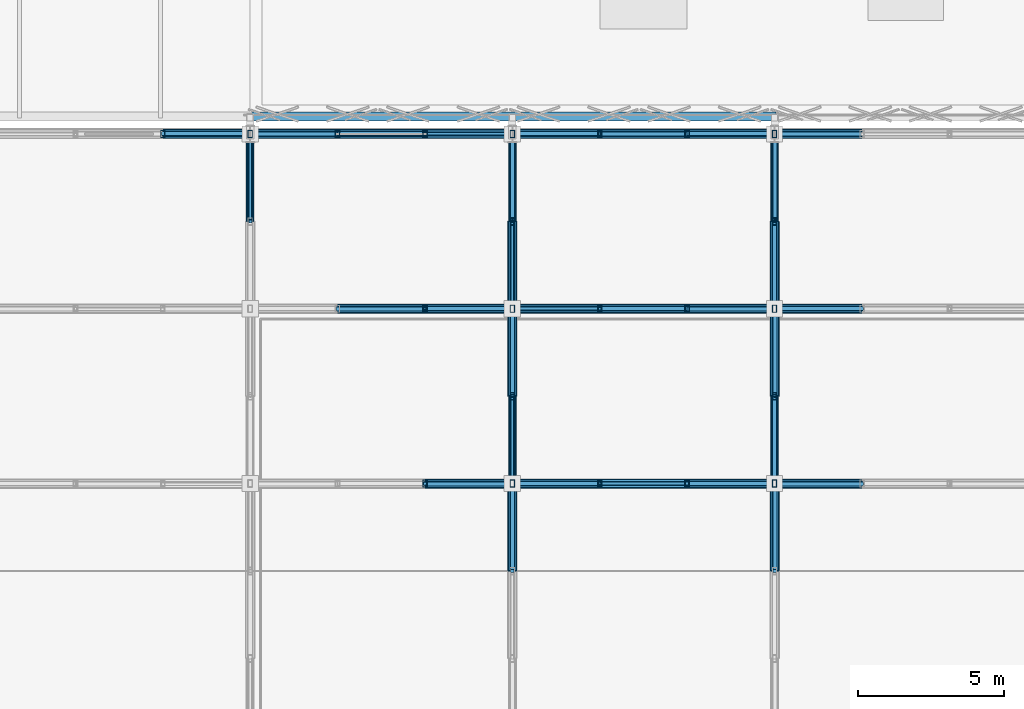
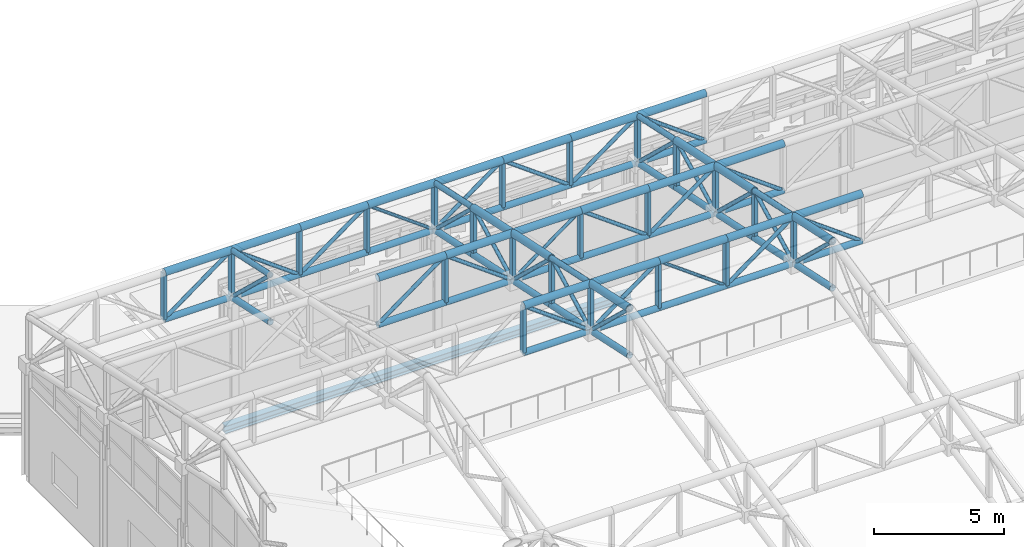
# One storey, part 18 of 112: 113 members.
"""IFC4 building model written with IfcOpenShell, lengths in metres."""

import ifcopenshell
import ifcopenshell.guid

model = None  # the IFC model being written
_history = None  # IfcOwnerHistory: only IFC2X3 demands one
_inside = {}  # id of a spatial element -> (the spatial element, [elements in it])
_under = {}  # id of a project, library or spatial element -> (it, [spatial elements below it])
_declared = {}  # id of a project -> (the project, [libraries it declares])
_typed = {}  # id of a type object -> (the type object, [elements of that type])
_made_of = {}  # id of a material, layer set ... -> (it, [elements and type objects made of it])


def new_model(schema):
    """Start an empty IFC model of exactly this schema.

    Asked for "IFC4X3", IfcOpenShell would pick the latest addendum, in which some entities
    have other attributes; the version numbers below select the first issue.
    IFC2X3 requires an IfcOwnerHistory on every rooted entity: one is made here for all.
    """
    global model, _history
    if schema == "IFC4X3":
        model = ifcopenshell.file(schema_version=(4, 3, 0, 0))
    else:
        model = ifcopenshell.file(schema=schema)
    _inside.clear()
    _under.clear()
    _declared.clear()
    _typed.clear()
    _made_of.clear()
    _history = None
    if model.schema == "IFC2X3":
        org = make("IfcOrganization", Name="unknown")
        user = make(
            "IfcPersonAndOrganization",
            ThePerson=make("IfcPerson", FamilyName="unknown"),
            TheOrganization=org,
        )
        app = make(
            "IfcApplication",
            ApplicationDeveloper=org,
            Version="unknown",
            ApplicationFullName="unknown",
            ApplicationIdentifier="unknown",
        )
        _history = make(
            "IfcOwnerHistory",
            OwningUser=user,
            OwningApplication=app,
            ChangeAction="ADDED",
            CreationDate=0,
        )
    return model


def make(cls, **values):
    """One entity of the class cls with the attributes given. An attribute that is None is left unset."""
    return model.create_entity(
        cls, **{name: value for name, value in values.items() if value is not None}
    )


def rooted(cls, **values):
    """An entity with a GlobalId (a new one), such as an element, a storey or a relation."""
    return make(cls, GlobalId=ifcopenshell.guid.new(), OwnerHistory=_history, **values)


def si_unit(unit_type, name, prefix=None):
    """IfcSIUnit, for example si_unit("LENGTHUNIT", "METRE", prefix="MILLI")."""
    return make("IfcSIUnit", UnitType=unit_type, Prefix=prefix, Name=name)


def assignment(units):
    """IfcUnitAssignment: the units of a project."""
    return None if units is None else make("IfcUnitAssignment", Units=units)


def point(xyz):
    """IfcCartesianPoint."""
    return None if xyz is None else make("IfcCartesianPoint", Coordinates=xyz)


def direction(xyz):
    """IfcDirection."""
    return None if xyz is None else make("IfcDirection", DirectionRatios=xyz)


def frame(location, z_axis=None, x_axis=None):
    """IfcAxis2Placement3D, a coordinate frame: its origin and axes. An axis left out is left unset."""
    return make(
        "IfcAxis2Placement3D",
        Location=point(location),
        Axis=direction(z_axis),
        RefDirection=direction(x_axis),
    )


def frame_2d(location, x_axis=None):
    """IfcAxis2Placement2D, a coordinate frame in the plane: its origin and x axis."""
    return make(
        "IfcAxis2Placement2D", Location=point(location), RefDirection=direction(x_axis)
    )


def origin():
    """The frame at (0, 0, 0) with its axes left unset."""
    return frame((0.0, 0.0, 0.0))


def origin_2d():
    """The frame at (0, 0) in the plane with its x axis left unset."""
    return frame_2d((0.0, 0.0))


def place(relative_to, where):
    """IfcLocalPlacement: puts the frame where relative to a parent placement (None: the world)."""
    return make(
        "IfcLocalPlacement", PlacementRelTo=relative_to, RelativePlacement=where
    )


def context(
    kind, dimensions, precision=None, world=None, true_north=None, identifier=None
):
    """IfcGeometricRepresentationContext, for example the 3D "Model" context."""
    return make(
        "IfcGeometricRepresentationContext",
        ContextIdentifier=identifier,
        ContextType=kind,
        CoordinateSpaceDimension=dimensions,
        Precision=precision,
        WorldCoordinateSystem=world,
        TrueNorth=true_north,
    )


def subcontext(parent, identifier, kind, view, scale=None):
    """IfcGeometricRepresentationSubContext, for example "Body" below "Model"."""
    return make(
        "IfcGeometricRepresentationSubContext",
        ContextIdentifier=identifier,
        ContextType=kind,
        ParentContext=parent,
        TargetScale=scale,
        TargetView=view,
    )


def project(units=None, contexts=None):
    """IfcProject with its units and contexts."""
    return rooted(
        "IfcProject",
        Name="project",
        RepresentationContexts=contexts,
        UnitsInContext=assignment(units),
    )


def spatial(cls, under=None, at=None, **own):
    """A site, building, storey or space (cls), placed at a placement, below another one or the project."""
    s = rooted(cls, ObjectPlacement=at, **own)
    if under is not None:
        _under.setdefault(under.id(), (under, []))[1].append(s)
    return s


def profile(cls, at=None, kind="AREA", **sizes):
    """A parametric profile (cls). Its sizes go by their IFC names, for example OverallWidth=200.0."""
    return make(cls, ProfileType=kind, Position=at, **sizes)


def hollow_rectangle(**sizes):
    """IfcRectangleHollowProfileDef."""
    return profile("IfcRectangleHollowProfileDef", **sizes)


def hollow_circle(**sizes):
    """IfcCircleHollowProfileDef."""
    return profile("IfcCircleHollowProfileDef", **sizes)


def i_section(**sizes):
    """IfcIShapeProfileDef."""
    return profile("IfcIShapeProfileDef", **sizes)


def extrude(swept, where, along, depth):
    """IfcExtrudedAreaSolid: the profile swept, set in the frame where, extruded along a direction by depth."""
    return make(
        "IfcExtrudedAreaSolid",
        SweptArea=swept,
        Position=where,
        ExtrudedDirection=direction(along),
        Depth=depth,
    )


def shape(context_of_items, identifier, shape_type, items):
    """IfcShapeRepresentation: the items that make up one representation, for example the "Body"."""
    return make(
        "IfcShapeRepresentation",
        ContextOfItems=context_of_items,
        RepresentationIdentifier=identifier,
        RepresentationType=shape_type,
        Items=items,
    )


def material(Name=None, Category=None):
    """IfcMaterial."""
    return make("IfcMaterial", Name=Name, Category=Category)


def material_profile(
    of_material, cross_section, Name=None, Category=None, Priority=None
):
    """IfcMaterialProfile: a cross section and its material."""
    return make(
        "IfcMaterialProfile",
        Name=Name,
        Material=of_material,
        Profile=cross_section,
        Priority=Priority,
        Category=Category,
    )


def profile_set(profiles, Name=None, composite=None):
    """IfcMaterialProfileSet."""
    return make(
        "IfcMaterialProfileSet",
        Name=Name,
        MaterialProfiles=profiles,
        CompositeProfile=composite,
    )


def made_of(thing, what):
    """Note that an element or type object is made of a material, layer set ...; save() writes the relation."""
    if what is not None:
        _made_of.setdefault(what.id(), (what, []))[1].append(thing)
    return thing


def type_object(cls, material=None, **own):
    """A type object (cls), such as IfcWallType, which elements share."""
    return made_of(rooted(cls, **own), material)


def element(
    cls,
    number,
    at=None,
    inside=None,
    cuts=None,
    type_object=None,
    material=None,
    context=None,
    identifier="Body",
    shape_type=None,
    held_by="IfcProductDefinitionShape",
    body=None,
    shapes=None,
    **own,
):
    """One element of the class cls, such as IfcWall. Its Tag is "e" and its number.

    at: its placement. inside: the storey or other place that contains it. cuts: it is an
    opening in that element (IfcRelVoidsElement). A single representation is given by context,
    identifier, shape_type and body (its items); several are given by shapes. held_by: the class
    of the entity that holds the representations. save() writes the other relations.
    """
    e = rooted(cls, Tag="e%d" % number, ObjectPlacement=at, **own)
    if body is not None:
        shapes = [shape(context, identifier, shape_type, body)]
    if shapes is not None:
        e.Representation = make(held_by, Representations=shapes)
    if inside is not None:
        _inside.setdefault(inside.id(), (inside, []))[1].append(e)
    if cuts is not None:
        rooted(
            "IfcRelVoidsElement", RelatingBuildingElement=cuts, RelatedOpeningElement=e
        )
    if type_object is not None:
        _typed.setdefault(type_object.id(), (type_object, []))[1].append(e)
    return made_of(e, material)


def aggregate(whole, parts):
    """IfcRelAggregates: a whole, such as a stair, and the parts it consists of."""
    return rooted("IfcRelAggregates", RelatingObject=whole, RelatedObjects=parts)


def save(model, path):
    """Write the relations noted so far, then the file.

    IfcRelAggregates (storeys below a building ...), IfcRelContainedInSpatialStructure (elements
    in a storey), IfcRelDefinesByType, IfcRelAssociatesMaterial and IfcRelDeclares: one each for
    every whole, place, type object, material and project.
    """
    for whole, parts in _under.values():
        aggregate(whole, parts)
    for where, things in _inside.values():
        rooted(
            "IfcRelContainedInSpatialStructure",
            RelatedElements=things,
            RelatingStructure=where,
        )
    for kind, things in _typed.values():
        rooted("IfcRelDefinesByType", RelatedObjects=things, RelatingType=kind)
    for what, things in _made_of.values():
        rooted("IfcRelAssociatesMaterial", RelatedObjects=things, RelatingMaterial=what)
    for by, libraries in _declared.values():
        rooted("IfcRelDeclares", RelatingContext=by, RelatedDefinitions=libraries)
    model.write(path)


model = new_model("IFC4")

# Units and contexts
model_context = context("Model", 3, precision=1e-05, world=origin(), true_north=direction((0.0, 1.0)))
body_context = subcontext(model_context, "Body", "Model", "MODEL_VIEW")
ifc_project = project(units=[si_unit("LENGTHUNIT", "METRE"), si_unit("AREAUNIT", "SQUARE_METRE"), si_unit("VOLUMEUNIT", "CUBIC_METRE"), si_unit("PLANEANGLEUNIT", "RADIAN"), si_unit("MASSUNIT", "GRAM", prefix="KILO")], contexts=[model_context])

# Site, building, storey
site_placement = place(None, origin())
site = spatial("IfcSite", under=ifc_project, at=site_placement, CompositionType="ELEMENT")
building_placement = place(site_placement, origin())
building = spatial("IfcBuilding", under=site, at=building_placement, Name="Kaldris Quays Convention Centre", CompositionType="ELEMENT")
storey_placement = place(building_placement, frame((0.0, 0.0, 16.800048828125)))
storey = spatial("IfcBuildingStorey", under=building, at=storey_placement, Name="L03", CompositionType="ELEMENT", Elevation=16.800048828125)

# Members
ifc_material_1 = material(Name="Steel S355J2H", Category="steel")
ifc_material_profile_1 = material_profile(ifc_material_1, hollow_circle(Radius=0.161865234375, WallThickness=0.01611328125, at=origin_2d()), Name="CHS 323.9x16")
ifc_profile_set_1 = profile_set([ifc_material_profile_1], Name="Steel S355J2H")
member_type_1 = type_object("IfcMemberType", Name="STRUCTURAL MEMBER SC03", PredefinedType="CHORD", material=ifc_profile_set_1)
for number, where, z_axis, x_axis, name in (
    (1, (35.0, 34.0, 10.09033203125), (1.0, 0.0, 0.0), (0.0, 1.0, 0.0), "SF-V3 Top Chord X 48"),
    (2, (38.0, 34.0, 10.09033203125), (1.0, 0.0, 0.0), (0.0, 1.0, 0.0), "SF-V3 Top Chord X 49"),
    (3, (41.0, 34.0, 10.09033203125), (1.0, 0.0, 0.0), (0.0, 1.0, 0.0), "SF-V3 Top Chord X 50"),
    (4, (44.0, 34.0, 10.09033203125), (1.0, 0.0, 0.0), (0.0, 1.0, 0.0), "SF-V3 Top Chord X 51"),
    (5, (47.0, 34.0, 10.09033203125), (1.0, 0.0, 0.0), (0.0, 1.0, 0.0), "SF-V3 Top Chord X 52"),
    (6, (32.0, 40.0, 8.810546875), (1.0, 0.0, 0.0), (0.0, 1.0, 0.0), "SF-V3 Top Chord X 68"),
    (7, (35.0, 40.0, 8.810546875), (1.0, 0.0, 0.0), (0.0, 1.0, 0.0), "SF-V3 Top Chord X 69"),
    (8, (38.0, 40.0, 8.810546875), (1.0, 0.0, 0.0), (0.0, 1.0, 0.0), "SF-V3 Top Chord X 70"),
    (9, (41.0, 40.0, 8.810546875), (1.0, 0.0, 0.0), (0.0, 1.0, 0.0), "SF-V3 Top Chord X 71"),
    (10, (44.0, 40.0, 8.810546875), (1.0, 0.0, 0.0), (0.0, 1.0, 0.0), "SF-V3 Top Chord X 72"),
    (11, (47.0, 40.0, 8.810546875), (1.0, 0.0, 0.0), (0.0, 1.0, 0.0), "SF-V3 Top Chord X 73"),
    (12, (26.0, 46.0, 7.530517578125), (1.0, 0.0, 0.0), (0.0, 1.0, 0.0), "SF-V3 Top Chord X 87"),
    (13, (29.0, 46.0, 7.530517578125), (1.0, 0.0, 0.0), (0.0, 1.0, 0.0), "SF-V3 Top Chord X 88"),
    (14, (32.0, 46.0, 7.530517578125), (1.0, 0.0, 0.0), (0.0, 1.0, 0.0), "SF-V3 Top Chord X 89"),
    (15, (35.0, 46.0, 7.530517578125), (1.0, 0.0, 0.0), (0.0, 1.0, 0.0), "SF-V3 Top Chord X 90"),
    (16, (38.0, 46.0, 7.530517578125), (1.0, 0.0, 0.0), (0.0, 1.0, 0.0), "SF-V3 Top Chord X 91"),
    (17, (41.0, 46.0, 7.530517578125), (1.0, 0.0, 0.0), (0.0, 1.0, 0.0), "SF-V3 Top Chord X 92"),
    (18, (44.0, 46.0, 7.530517578125), (1.0, 0.0, 0.0), (0.0, 1.0, 0.0), "SF-V3 Top Chord X 93"),
    (19, (47.0, 46.0, 7.530517578125), (1.0, 0.0, 0.0), (0.0, 1.0, 0.0), "SF-V3 Top Chord X 94"),
):
    element("IfcMember", number, at=place(storey_placement, frame(where, z_axis=z_axis, x_axis=x_axis)), inside=storey, type_object=member_type_1, Name=name, PredefinedType="CHORD", context=body_context, shape_type="SweptSolid", body=[
        extrude(hollow_circle(Radius=0.161865234375, WallThickness=0.01611328125, at=origin_2d()), origin(), (0.0, 0.0, 1.0), 3.0),
    ])
member_1_placement = place(storey_placement, frame((38.0, 31.0, 10.73046875), z_axis=(0.0, 0.977983741211, -0.20868110103), x_axis=(-1.0, 0.0, 0.0)))
element("IfcMember", 20, at=member_1_placement, inside=storey, type_object=member_type_1, Name="SF-V3 Top Chord Y 131", PredefinedType="CHORD", context=body_context, shape_type="SweptSolid", body=[
    extrude(hollow_circle(Radius=0.161865234375, WallThickness=0.01611328125, at=origin_2d()), origin(), (0.0, 0.0, 1.0), 3.067626953125),
])
member_2_placement = place(storey_placement, frame((38.0, 37.0, 9.450439453125), z_axis=(0.0, 0.977999981478, -0.208604976518), x_axis=(-1.0, 0.0, 0.0)))
element("IfcMember", 21, at=member_2_placement, inside=storey, type_object=member_type_1, Name="SF-V3 Top Chord Y 133", PredefinedType="CHORD", context=body_context, shape_type="SweptSolid", body=[
    extrude(hollow_circle(Radius=0.161865234375, WallThickness=0.01611328125, at=origin_2d()), origin(), (0.0, 0.0, 1.0), 3.0673828125),
])
for number, where, z_axis, x_axis, name in (
    (22, (38.0, 40.0, 8.810546875), (0.0, 0.977983741211, -0.20868110103), (-1.0, 0.0, 0.0), "SF-V3 Top Chord Y 134"),
    (23, (47.0, 31.0, 10.73046875), (0.0, 0.977983741211, -0.20868110103), (-1.0, 0.0, 0.0), "SF-V3 Top Chord Y 141"),
):
    element("IfcMember", number, at=place(storey_placement, frame(where, z_axis=z_axis, x_axis=x_axis)), inside=storey, type_object=member_type_1, Name=name, PredefinedType="CHORD", context=body_context, shape_type="SweptSolid", body=[
        extrude(hollow_circle(Radius=0.161865234375, WallThickness=0.01611328125, at=origin_2d()), origin(), (0.0, 0.0, 1.0), 3.067626953125),
    ])
member_3_placement = place(storey_placement, frame((47.0, 37.0, 9.450439453125), z_axis=(0.0, 0.977999981478, -0.208604976518), x_axis=(-1.0, 0.0, 0.0)))
element("IfcMember", 24, at=member_3_placement, inside=storey, type_object=member_type_1, Name="SF-V3 Top Chord Y 143", PredefinedType="CHORD", context=body_context, shape_type="SweptSolid", body=[
    extrude(hollow_circle(Radius=0.161865234375, WallThickness=0.01611328125, at=origin_2d()), origin(), (0.0, 0.0, 1.0), 3.0673828125),
])
member_4_placement = place(storey_placement, frame((47.0, 40.0, 8.810546875), z_axis=(0.0, 0.977983741211, -0.20868110103), x_axis=(-1.0, 0.0, 0.0)))
element("IfcMember", 25, at=member_4_placement, inside=storey, type_object=member_type_1, Name="SF-V3 Top Chord Y 144", PredefinedType="CHORD", context=body_context, shape_type="SweptSolid", body=[
    extrude(hollow_circle(Radius=0.161865234375, WallThickness=0.01611328125, at=origin_2d()), origin(), (0.0, 0.0, 1.0), 3.067626953125),
])
ifc_material_profile_2 = material_profile(ifc_material_1, hollow_circle(Radius=0.136474609375, WallThickness=0.012451171875, at=origin_2d()), Name="CHS 273x12.5")
ifc_profile_set_2 = profile_set([ifc_material_profile_2], Name="Steel S355J2H")
member_type_2 = type_object("IfcMemberType", Name="STRUCTURAL MEMBER SC04", PredefinedType="CHORD", material=ifc_profile_set_2)
for number, where, z_axis, x_axis, name in (
    (26, (35.0, 34.0, 7.890380859375), (1.0, 0.0, 0.0), (0.0, 1.0, 0.0), "SF-V3 Bottom Chord X 48"),
    (27, (38.0, 34.0, 7.890380859375), (1.0, 0.0, 0.0), (0.0, 1.0, 0.0), "SF-V3 Bottom Chord X 49"),
    (28, (41.0, 34.0, 7.890380859375), (1.0, 0.0, 0.0), (0.0, 1.0, 0.0), "SF-V3 Bottom Chord X 50"),
    (29, (44.0, 34.0, 7.890380859375), (1.0, 0.0, 0.0), (0.0, 1.0, 0.0), "SF-V3 Bottom Chord X 51"),
    (30, (47.0, 34.0, 7.890380859375), (1.0, 0.0, 0.0), (0.0, 1.0, 0.0), "SF-V3 Bottom Chord X 52"),
    (31, (32.0, 40.0, 6.6103515625), (1.0, 0.0, 0.0), (0.0, 1.0, 0.0), "SF-V3 Bottom Chord X 68"),
    (32, (35.0, 40.0, 6.6103515625), (1.0, 0.0, 0.0), (0.0, 1.0, 0.0), "SF-V3 Bottom Chord X 69"),
    (33, (38.0, 40.0, 6.6103515625), (1.0, 0.0, 0.0), (0.0, 1.0, 0.0), "SF-V3 Bottom Chord X 70"),
    (34, (41.0, 40.0, 6.6103515625), (1.0, 0.0, 0.0), (0.0, 1.0, 0.0), "SF-V3 Bottom Chord X 71"),
    (35, (44.0, 40.0, 6.6103515625), (1.0, 0.0, 0.0), (0.0, 1.0, 0.0), "SF-V3 Bottom Chord X 72"),
    (36, (47.0, 40.0, 6.6103515625), (1.0, 0.0, 0.0), (0.0, 1.0, 0.0), "SF-V3 Bottom Chord X 73"),
    (37, (26.0, 46.0, 5.33056640625), (1.0, 0.0, 0.0), (0.0, 1.0, 0.0), "SF-V3 Bottom Chord X 87"),
    (38, (29.0, 46.0, 5.33056640625), (1.0, 0.0, 0.0), (0.0, 1.0, 0.0), "SF-V3 Bottom Chord X 88"),
    (39, (32.0, 46.0, 5.33056640625), (1.0, 0.0, 0.0), (0.0, 1.0, 0.0), "SF-V3 Bottom Chord X 89"),
    (40, (35.0, 46.0, 5.33056640625), (1.0, 0.0, 0.0), (0.0, 1.0, 0.0), "SF-V3 Bottom Chord X 90"),
    (41, (38.0, 46.0, 5.33056640625), (1.0, 0.0, 0.0), (0.0, 1.0, 0.0), "SF-V3 Bottom Chord X 91"),
    (42, (41.0, 46.0, 5.33056640625), (1.0, 0.0, 0.0), (0.0, 1.0, 0.0), "SF-V3 Bottom Chord X 92"),
    (43, (44.0, 46.0, 5.33056640625), (1.0, 0.0, 0.0), (0.0, 1.0, 0.0), "SF-V3 Bottom Chord X 93"),
    (44, (47.0, 46.0, 5.33056640625), (1.0, 0.0, 0.0), (0.0, 1.0, 0.0), "SF-V3 Bottom Chord X 94"),
):
    element("IfcMember", number, at=place(storey_placement, frame(where, z_axis=z_axis, x_axis=x_axis)), inside=storey, type_object=member_type_2, Name=name, PredefinedType="CHORD", context=body_context, shape_type="SweptSolid", body=[
        extrude(hollow_circle(Radius=0.136474609375, WallThickness=0.012451171875, at=origin_2d()), origin(), (0.0, 0.0, 1.0), 3.0),
    ])
member_5_placement = place(storey_placement, frame((29.0, 43.0, 5.970458984375), z_axis=(0.0, 0.977999981478, -0.208604976518), x_axis=(-1.0, 0.0, 0.0)))
element("IfcMember", 45, at=member_5_placement, inside=storey, type_object=member_type_2, Name="SF-V3 Bottom Chord Y 125", PredefinedType="CHORD", context=body_context, shape_type="SweptSolid", body=[
    extrude(hollow_circle(Radius=0.136474609375, WallThickness=0.012451171875, at=origin_2d()), origin(), (0.0, 0.0, 1.0), 3.0673828125),
])
member_6_placement = place(storey_placement, frame((38.0, 31.0, 8.530517578125), z_axis=(0.0, 0.977983741211, -0.20868110103), x_axis=(-1.0, 0.0, 0.0)))
element("IfcMember", 46, at=member_6_placement, inside=storey, type_object=member_type_2, Name="SF-V3 Bottom Chord Y 131", PredefinedType="CHORD", context=body_context, shape_type="SweptSolid", body=[
    extrude(hollow_circle(Radius=0.136474609375, WallThickness=0.012451171875, at=origin_2d()), origin(), (0.0, 0.0, 1.0), 3.067626953125),
])
member_7_placement = place(storey_placement, frame((38.0, 34.0, 7.890380859375), z_axis=(0.0, 0.977999981478, -0.208604976518), x_axis=(-1.0, 0.0, 0.0)))
element("IfcMember", 47, at=member_7_placement, inside=storey, type_object=member_type_2, Name="SF-V3 Bottom Chord Y 132", PredefinedType="CHORD", context=body_context, shape_type="SweptSolid", body=[
    extrude(hollow_circle(Radius=0.136474609375, WallThickness=0.012451171875, at=origin_2d()), origin(), (0.0, 0.0, 1.0), 3.0673828125),
])
member_8_placement = place(storey_placement, frame((38.0, 37.0, 7.25048828125), z_axis=(0.0, 0.977983741211, -0.20868110103), x_axis=(-1.0, 0.0, 0.0)))
element("IfcMember", 48, at=member_8_placement, inside=storey, type_object=member_type_2, Name="SF-V3 Bottom Chord Y 133", PredefinedType="CHORD", context=body_context, shape_type="SweptSolid", body=[
    extrude(hollow_circle(Radius=0.136474609375, WallThickness=0.012451171875, at=origin_2d()), origin(), (0.0, 0.0, 1.0), 3.067626953125),
])
for number, where, z_axis, x_axis, name in (
    (49, (38.0, 40.0, 6.6103515625), (0.0, 0.977999981478, -0.208604976518), (-1.0, 0.0, 0.0), "SF-V3 Bottom Chord Y 134"),
    (50, (38.0, 43.0, 5.970458984375), (0.0, 0.977999981478, -0.208604976518), (-1.0, 0.0, 0.0), "SF-V3 Bottom Chord Y 135"),
):
    element("IfcMember", number, at=place(storey_placement, frame(where, z_axis=z_axis, x_axis=x_axis)), inside=storey, type_object=member_type_2, Name=name, PredefinedType="CHORD", context=body_context, shape_type="SweptSolid", body=[
        extrude(hollow_circle(Radius=0.136474609375, WallThickness=0.012451171875, at=origin_2d()), origin(), (0.0, 0.0, 1.0), 3.0673828125),
    ])
member_9_placement = place(storey_placement, frame((47.0, 31.0, 8.530517578125), z_axis=(0.0, 0.977983741211, -0.20868110103), x_axis=(-1.0, 0.0, 0.0)))
element("IfcMember", 51, at=member_9_placement, inside=storey, type_object=member_type_2, Name="SF-V3 Bottom Chord Y 141", PredefinedType="CHORD", context=body_context, shape_type="SweptSolid", body=[
    extrude(hollow_circle(Radius=0.136474609375, WallThickness=0.012451171875, at=origin_2d()), origin(), (0.0, 0.0, 1.0), 3.067626953125),
])
member_10_placement = place(storey_placement, frame((47.0, 34.0, 7.890380859375), z_axis=(0.0, 0.977999981478, -0.208604976518), x_axis=(-1.0, 0.0, 0.0)))
element("IfcMember", 52, at=member_10_placement, inside=storey, type_object=member_type_2, Name="SF-V3 Bottom Chord Y 142", PredefinedType="CHORD", context=body_context, shape_type="SweptSolid", body=[
    extrude(hollow_circle(Radius=0.136474609375, WallThickness=0.012451171875, at=origin_2d()), origin(), (0.0, 0.0, 1.0), 3.0673828125),
])
member_11_placement = place(storey_placement, frame((47.0, 37.0, 7.25048828125), z_axis=(0.0, 0.977983741211, -0.20868110103), x_axis=(-1.0, 0.0, 0.0)))
element("IfcMember", 53, at=member_11_placement, inside=storey, type_object=member_type_2, Name="SF-V3 Bottom Chord Y 143", PredefinedType="CHORD", context=body_context, shape_type="SweptSolid", body=[
    extrude(hollow_circle(Radius=0.136474609375, WallThickness=0.012451171875, at=origin_2d()), origin(), (0.0, 0.0, 1.0), 3.067626953125),
])
for number, where, z_axis, x_axis, name in (
    (54, (47.0, 40.0, 6.6103515625), (0.0, 0.977999981478, -0.208604976518), (-1.0, 0.0, 0.0), "SF-V3 Bottom Chord Y 144"),
    (55, (47.0, 43.0, 5.970458984375), (0.0, 0.977999981478, -0.208604976518), (-1.0, 0.0, 0.0), "SF-V3 Bottom Chord Y 145"),
):
    element("IfcMember", number, at=place(storey_placement, frame(where, z_axis=z_axis, x_axis=x_axis)), inside=storey, type_object=member_type_2, Name=name, PredefinedType="CHORD", context=body_context, shape_type="SweptSolid", body=[
        extrude(hollow_circle(Radius=0.136474609375, WallThickness=0.012451171875, at=origin_2d()), origin(), (0.0, 0.0, 1.0), 3.0673828125),
    ])
ifc_material_profile_3 = material_profile(ifc_material_1, hollow_circle(Radius=0.122314453125, WallThickness=0.010009765625, at=origin_2d()), Name="CHS 244.5x10")
ifc_profile_set_3 = profile_set([ifc_material_profile_3], Name="Steel S355J2H")
member_type_3 = type_object("IfcMemberType", Name="STRUCTURAL MEMBER SC05", PredefinedType="CHORD", material=ifc_profile_set_3)
for number, where, z_axis, x_axis, name in (
    (56, (29.0, 43.0, 8.17041015625), (0.0, 0.977999981478, -0.208604976518), (-1.0, 0.0, 0.0), "SF-V3 Top Chord Y 125"),
    (57, (38.0, 34.0, 10.09033203125), (0.0, 0.977999981478, -0.208604976518), (-1.0, 0.0, 0.0), "SF-V3 Top Chord Y 132"),
    (58, (38.0, 43.0, 8.17041015625), (0.0, 0.977999981478, -0.208604976518), (-1.0, 0.0, 0.0), "SF-V3 Top Chord Y 135"),
    (59, (47.0, 34.0, 10.09033203125), (0.0, 0.977999981478, -0.208604976518), (-1.0, 0.0, 0.0), "SF-V3 Top Chord Y 142"),
    (60, (47.0, 43.0, 8.17041015625), (0.0, 0.977999981478, -0.208604976518), (-1.0, 0.0, 0.0), "SF-V3 Top Chord Y 145"),
):
    element("IfcMember", number, at=place(storey_placement, frame(where, z_axis=z_axis, x_axis=x_axis)), inside=storey, type_object=member_type_3, Name=name, PredefinedType="CHORD", context=body_context, shape_type="SweptSolid", body=[
        extrude(hollow_circle(Radius=0.122314453125, WallThickness=0.010009765625, at=origin_2d()), origin(), (0.0, 0.0, 1.0), 3.0673828125),
    ])
ifc_material_profile_4 = material_profile(ifc_material_1, hollow_circle(Radius=0.084228515625, WallThickness=0.008056640625, at=origin_2d()), Name="CHS 168.3x8")
ifc_profile_set_4 = profile_set([ifc_material_profile_4], Name="Steel S355J2H")
member_type_4 = type_object("IfcMemberType", Name="STRUCTURAL MEMBER SWB2", PredefinedType="BRACE", material=ifc_profile_set_4)
for number, where, z_axis, x_axis, name in (
    (61, (38.0, 34.0, 7.890380859375), (-0.80641125493, 0.0, 0.591355128432), (0.0, -1.0, 0.0), "SF-V3 Web Diagonal X 48"),
    (62, (38.0, 34.0, 7.890380859375), (0.80641125493, 0.0, 0.591355128432), (0.0, 1.0, 0.0), "SF-V3 Web Diagonal X 49"),
    (63, (44.0, 34.0, 7.890380859375), (0.80641125493, 0.0, 0.591355128432), (0.0, 1.0, 0.0), "SF-V3 Web Diagonal X 51"),
    (64, (50.0, 34.0, 7.890380859375), (-0.80641125493, 0.0, 0.591355128432), (0.0, -1.0, 0.0), "SF-V3 Web Diagonal X 52"),
    (65, (32.0, 40.0, 6.6103515625), (0.806379959628, 0.0, 0.591397802423), (0.0, 1.0, 0.0), "SF-V3 Web Diagonal X 68"),
    (66, (38.0, 40.0, 6.6103515625), (-0.806379959628, 0.0, 0.591397802423), (0.0, -1.0, 0.0), "SF-V3 Web Diagonal X 69"),
    (67, (44.0, 40.0, 6.6103515625), (-0.806379959628, 0.0, 0.591397802423), (0.0, -1.0, 0.0), "SF-V3 Web Diagonal X 71"),
    (68, (44.0, 40.0, 6.6103515625), (0.806379959628, 0.0, 0.591397802423), (0.0, 1.0, 0.0), "SF-V3 Web Diagonal X 72"),
    (69, (50.0, 40.0, 6.6103515625), (-0.806379959628, 0.0, 0.591397802423), (0.0, -1.0, 0.0), "SF-V3 Web Diagonal X 73"),
    (70, (26.0, 46.0, 5.33056640625), (0.80641125493, 0.0, 0.591355128432), (0.0, 1.0, 0.0), "SF-V3 Web Diagonal X 87"),
    (71, (32.0, 46.0, 5.33056640625), (-0.80641125493, 0.0, 0.591355128432), (0.0, -1.0, 0.0), "SF-V3 Web Diagonal X 88"),
    (72, (32.0, 46.0, 5.33056640625), (0.80641125493, 0.0, 0.591355128432), (0.0, 1.0, 0.0), "SF-V3 Web Diagonal X 89"),
    (73, (38.0, 46.0, 5.33056640625), (0.80641125493, 0.0, 0.591355128432), (0.0, 1.0, 0.0), "SF-V3 Web Diagonal X 91"),
    (74, (44.0, 46.0, 5.33056640625), (-0.80641125493, 0.0, 0.591355128432), (0.0, -1.0, 0.0), "SF-V3 Web Diagonal X 92"),
    (75, (44.0, 46.0, 5.33056640625), (0.80641125493, 0.0, 0.591355128432), (0.0, 1.0, 0.0), "SF-V3 Web Diagonal X 93"),
    (76, (50.0, 46.0, 5.33056640625), (-0.80641125493, 0.0, 0.591355128432), (0.0, -1.0, 0.0), "SF-V3 Web Diagonal X 94"),
):
    element("IfcMember", number, at=place(storey_placement, frame(where, z_axis=z_axis, x_axis=x_axis)), inside=storey, type_object=member_type_4, Name=name, PredefinedType="BRACE", context=body_context, shape_type="SweptSolid", body=[
        extrude(hollow_circle(Radius=0.084228515625, WallThickness=0.008056640625, at=origin_2d()), origin(), (0.0, 0.0, 1.0), 3.72021484375),
    ])
member_12_placement = place(storey_placement, frame((29.0, 46.0, 5.33056640625), z_axis=(0.0, -0.72622595523, 0.687456080016), x_axis=(1.0, 0.0, 0.0)))
element("IfcMember", 77, at=member_12_placement, inside=storey, type_object=member_type_4, Name="SF-V3 Web Diagonal Y 125", PredefinedType="BRACE", context=body_context, shape_type="SweptSolid", body=[
    extrude(hollow_circle(Radius=0.084228515625, WallThickness=0.008056640625, at=origin_2d()), origin(), (0.0, 0.0, 1.0), 4.130859375),
])
member_13_placement = place(storey_placement, frame((38.0, 34.0, 7.890380859375), z_axis=(0.0, -0.726196449967, 0.687487247922), x_axis=(1.0, 0.0, 0.0)))
element("IfcMember", 78, at=member_13_placement, inside=storey, type_object=member_type_4, Name="SF-V3 Web Diagonal Y 131", PredefinedType="BRACE", context=body_context, shape_type="SweptSolid", body=[
    extrude(hollow_circle(Radius=0.084228515625, WallThickness=0.008056640625, at=origin_2d()), origin(), (0.0, 0.0, 1.0), 4.131103515625),
])
member_14_placement = place(storey_placement, frame((38.0, 34.0, 7.890380859375), z_axis=(0.0, 0.887209708306, 0.461366376634), x_axis=(-1.0, 0.0, 0.0)))
element("IfcMember", 79, at=member_14_placement, inside=storey, type_object=member_type_4, Name="SF-V3 Web Diagonal Y 132", PredefinedType="BRACE", context=body_context, shape_type="SweptSolid", body=[
    extrude(hollow_circle(Radius=0.084228515625, WallThickness=0.008056640625, at=origin_2d()), origin(), (0.0, 0.0, 1.0), 3.38134765625),
])
member_15_placement = place(storey_placement, frame((38.0, 40.0, 6.6103515625), z_axis=(0.0, -0.726196449967, 0.687487247922), x_axis=(1.0, 0.0, 0.0)))
element("IfcMember", 80, at=member_15_placement, inside=storey, type_object=member_type_4, Name="SF-V3 Web Diagonal Y 133", PredefinedType="BRACE", context=body_context, shape_type="SweptSolid", body=[
    extrude(hollow_circle(Radius=0.084228515625, WallThickness=0.008056640625, at=origin_2d()), origin(), (0.0, 0.0, 1.0), 4.131103515625),
])
member_16_placement = place(storey_placement, frame((38.0, 40.0, 6.6103515625), z_axis=(0.0, 0.887209708306, 0.461366376634), x_axis=(-1.0, 0.0, 0.0)))
element("IfcMember", 81, at=member_16_placement, inside=storey, type_object=member_type_4, Name="SF-V3 Web Diagonal Y 134", PredefinedType="BRACE", context=body_context, shape_type="SweptSolid", body=[
    extrude(hollow_circle(Radius=0.084228515625, WallThickness=0.008056640625, at=origin_2d()), origin(), (0.0, 0.0, 1.0), 3.38134765625),
])
member_17_placement = place(storey_placement, frame((38.0, 46.0, 5.33056640625), z_axis=(0.0, -0.72622595523, 0.687456080016), x_axis=(1.0, 0.0, 0.0)))
element("IfcMember", 82, at=member_17_placement, inside=storey, type_object=member_type_4, Name="SF-V3 Web Diagonal Y 135", PredefinedType="BRACE", context=body_context, shape_type="SweptSolid", body=[
    extrude(hollow_circle(Radius=0.084228515625, WallThickness=0.008056640625, at=origin_2d()), origin(), (0.0, 0.0, 1.0), 4.130859375),
])
member_18_placement = place(storey_placement, frame((47.0, 34.0, 7.890380859375), z_axis=(0.0, -0.726196449967, 0.687487247922), x_axis=(1.0, 0.0, 0.0)))
element("IfcMember", 83, at=member_18_placement, inside=storey, type_object=member_type_4, Name="SF-V3 Web Diagonal Y 141", PredefinedType="BRACE", context=body_context, shape_type="SweptSolid", body=[
    extrude(hollow_circle(Radius=0.084228515625, WallThickness=0.008056640625, at=origin_2d()), origin(), (0.0, 0.0, 1.0), 4.131103515625),
])
member_19_placement = place(storey_placement, frame((47.0, 34.0, 7.890380859375), z_axis=(0.0, 0.887209708306, 0.461366376634), x_axis=(-1.0, 0.0, 0.0)))
element("IfcMember", 84, at=member_19_placement, inside=storey, type_object=member_type_4, Name="SF-V3 Web Diagonal Y 142", PredefinedType="BRACE", context=body_context, shape_type="SweptSolid", body=[
    extrude(hollow_circle(Radius=0.084228515625, WallThickness=0.008056640625, at=origin_2d()), origin(), (0.0, 0.0, 1.0), 3.38134765625),
])
member_20_placement = place(storey_placement, frame((47.0, 40.0, 6.6103515625), z_axis=(0.0, -0.726196449967, 0.687487247922), x_axis=(1.0, 0.0, 0.0)))
element("IfcMember", 85, at=member_20_placement, inside=storey, type_object=member_type_4, Name="SF-V3 Web Diagonal Y 143", PredefinedType="BRACE", context=body_context, shape_type="SweptSolid", body=[
    extrude(hollow_circle(Radius=0.084228515625, WallThickness=0.008056640625, at=origin_2d()), origin(), (0.0, 0.0, 1.0), 4.131103515625),
])
member_21_placement = place(storey_placement, frame((47.0, 40.0, 6.6103515625), z_axis=(0.0, 0.887209708306, 0.461366376634), x_axis=(-1.0, 0.0, 0.0)))
element("IfcMember", 86, at=member_21_placement, inside=storey, type_object=member_type_4, Name="SF-V3 Web Diagonal Y 144", PredefinedType="BRACE", context=body_context, shape_type="SweptSolid", body=[
    extrude(hollow_circle(Radius=0.084228515625, WallThickness=0.008056640625, at=origin_2d()), origin(), (0.0, 0.0, 1.0), 3.38134765625),
])
member_22_placement = place(storey_placement, frame((47.0, 46.0, 5.33056640625), z_axis=(0.0, -0.72622595523, 0.687456080016), x_axis=(1.0, 0.0, 0.0)))
element("IfcMember", 87, at=member_22_placement, inside=storey, type_object=member_type_4, Name="SF-V3 Web Diagonal Y 145", PredefinedType="BRACE", context=body_context, shape_type="SweptSolid", body=[
    extrude(hollow_circle(Radius=0.084228515625, WallThickness=0.008056640625, at=origin_2d()), origin(), (0.0, 0.0, 1.0), 4.130859375),
])
ifc_material_profile_5 = material_profile(ifc_material_1, hollow_circle(Radius=0.06982421875, WallThickness=0.00634765625, at=origin_2d()), Name="CHS 139.7x6.3")
ifc_profile_set_5 = profile_set([ifc_material_profile_5], Name="Steel S355J2H")
member_type_5 = type_object("IfcMemberType", Name="STRUCTURAL MEMBER SWB4", PredefinedType="BRACE", material=ifc_profile_set_5)
for number, where, z_axis, x_axis, name in (
    (88, (44.0, 34.0, 7.890380859375), (-0.80641125493, 0.0, 0.591355128432), (0.0, -1.0, 0.0), "SF-V3 Web Diagonal X 50"),
    (89, (38.0, 40.0, 6.6103515625), (0.806379959628, 0.0, 0.591397802423), (0.0, 1.0, 0.0), "SF-V3 Web Diagonal X 70"),
    (90, (38.0, 46.0, 5.33056640625), (-0.80641125493, 0.0, 0.591355128432), (0.0, -1.0, 0.0), "SF-V3 Web Diagonal X 90"),
):
    element("IfcMember", number, at=place(storey_placement, frame(where, z_axis=z_axis, x_axis=x_axis)), inside=storey, type_object=member_type_5, Name=name, PredefinedType="BRACE", context=body_context, shape_type="SweptSolid", body=[
        extrude(hollow_circle(Radius=0.06982421875, WallThickness=0.00634765625, at=origin_2d()), origin(), (0.0, 0.0, 1.0), 3.72021484375),
    ])
ifc_material_profile_6 = material_profile(ifc_material_1, hollow_rectangle(XDim=0.14990234375, YDim=0.25, WallThickness=0.010009765625, at=origin_2d()), Name="RHS 250x150x10")
ifc_profile_set_6 = profile_set([ifc_material_profile_6], Name="Steel S355J2H")
member_type_6 = type_object("IfcMemberType", Name="STRUCTURAL MEMBER TTV1", PredefinedType="POST", material=ifc_profile_set_6)
member_23_placement = place(storey_placement, frame((26.0, 46.0, 5.33056640625), z_axis=(0.0, 0.0, 1.0), x_axis=(1.0, 0.0, 0.0)))
element("IfcMember", 91, at=member_23_placement, inside=storey, type_object=member_type_6, Name="SF-V3 Space-Frame Post 21", PredefinedType="POST", context=body_context, shape_type="SweptSolid", body=[
    extrude(hollow_rectangle(XDim=0.14990234375, YDim=0.25, WallThickness=0.010009765625, at=origin_2d()), origin(), (0.0, 0.0, 1.0), 2.199951171875),
])
member_24_placement = place(storey_placement, frame((29.0, 46.0, 5.19384765625), z_axis=(0.0, 0.0, 1.0), x_axis=(1.0, 0.0, 0.0)))
element("IfcMember", 92, at=member_24_placement, inside=storey, type_object=member_type_6, Name="SF-V3 Space-Frame Post 32", PredefinedType="POST", context=body_context, shape_type="SweptSolid", body=[
    extrude(hollow_rectangle(XDim=0.14990234375, YDim=0.25, WallThickness=0.010009765625, at=origin_2d()), origin(), (0.0, 0.0, 1.0), 2.336669921875),
])
for number, where, z_axis, x_axis, name in (
    (93, (32.0, 46.0, 5.33056640625), (0.0, 0.0, 1.0), (1.0, 0.0, 0.0), "SF-V3 Space-Frame Post 37"),
    (94, (35.0, 34.0, 7.890380859375), (0.0, 0.0, 1.0), (1.0, 0.0, 0.0), "SF-V3 Space-Frame Post 40"),
):
    element("IfcMember", number, at=place(storey_placement, frame(where, z_axis=z_axis, x_axis=x_axis)), inside=storey, type_object=member_type_6, Name=name, PredefinedType="POST", context=body_context, shape_type="SweptSolid", body=[
        extrude(hollow_rectangle(XDim=0.14990234375, YDim=0.25, WallThickness=0.010009765625, at=origin_2d()), origin(), (0.0, 0.0, 1.0), 2.199951171875),
    ])
member_25_placement = place(storey_placement, frame((35.0, 40.0, 6.6103515625), z_axis=(0.0, 0.0, 1.0), x_axis=(1.0, 0.0, 0.0)))
element("IfcMember", 95, at=member_25_placement, inside=storey, type_object=member_type_6, Name="SF-V3 Space-Frame Post 41", PredefinedType="POST", context=body_context, shape_type="SweptSolid", body=[
    extrude(hollow_rectangle(XDim=0.14990234375, YDim=0.25, WallThickness=0.010009765625, at=origin_2d()), origin(), (0.0, 0.0, 1.0), 2.2001953125),
])
for number, where, z_axis, x_axis, name in (
    (96, (35.0, 46.0, 5.33056640625), (0.0, 0.0, 1.0), (1.0, 0.0, 0.0), "SF-V3 Space-Frame Post 42"),
    (97, (38.0, 34.0, 7.890380859375), (0.0, 0.0, 1.0), (1.0, 0.0, 0.0), "SF-V3 Space-Frame Post 49"),
    (98, (38.0, 37.0, 7.25048828125), (0.0, 0.0, 1.0), (1.0, 0.0, 0.0), "SF-V3 Space-Frame Post 50"),
):
    element("IfcMember", number, at=place(storey_placement, frame(where, z_axis=z_axis, x_axis=x_axis)), inside=storey, type_object=member_type_6, Name=name, PredefinedType="POST", context=body_context, shape_type="SweptSolid", body=[
        extrude(hollow_rectangle(XDim=0.14990234375, YDim=0.25, WallThickness=0.010009765625, at=origin_2d()), origin(), (0.0, 0.0, 1.0), 2.199951171875),
    ])
member_26_placement = place(storey_placement, frame((38.0, 40.0, 6.6103515625), z_axis=(0.0, 0.0, 1.0), x_axis=(1.0, 0.0, 0.0)))
element("IfcMember", 99, at=member_26_placement, inside=storey, type_object=member_type_6, Name="SF-V3 Space-Frame Post 51", PredefinedType="POST", context=body_context, shape_type="SweptSolid", body=[
    extrude(hollow_rectangle(XDim=0.14990234375, YDim=0.25, WallThickness=0.010009765625, at=origin_2d()), origin(), (0.0, 0.0, 1.0), 2.2001953125),
])
member_27_placement = place(storey_placement, frame((38.0, 43.0, 5.970458984375), z_axis=(0.0, 0.0, 1.0), x_axis=(1.0, 0.0, 0.0)))
element("IfcMember", 100, at=member_27_placement, inside=storey, type_object=member_type_6, Name="SF-V3 Space-Frame Post 52", PredefinedType="POST", context=body_context, shape_type="SweptSolid", body=[
    extrude(hollow_rectangle(XDim=0.14990234375, YDim=0.25, WallThickness=0.010009765625, at=origin_2d()), origin(), (0.0, 0.0, 1.0), 2.199951171875),
])
member_28_placement = place(storey_placement, frame((38.0, 46.0, 5.19384765625), z_axis=(0.0, 0.0, 1.0), x_axis=(1.0, 0.0, 0.0)))
element("IfcMember", 101, at=member_28_placement, inside=storey, type_object=member_type_6, Name="SF-V3 Space-Frame Post 53", PredefinedType="POST", context=body_context, shape_type="SweptSolid", body=[
    extrude(hollow_rectangle(XDim=0.14990234375, YDim=0.25, WallThickness=0.010009765625, at=origin_2d()), origin(), (0.0, 0.0, 1.0), 2.336669921875),
])
member_29_placement = place(storey_placement, frame((41.0, 34.0, 7.890380859375), z_axis=(0.0, 0.0, 1.0), x_axis=(1.0, 0.0, 0.0)))
element("IfcMember", 102, at=member_29_placement, inside=storey, type_object=member_type_6, Name="SF-V3 Space-Frame Post 56", PredefinedType="POST", context=body_context, shape_type="SweptSolid", body=[
    extrude(hollow_rectangle(XDim=0.14990234375, YDim=0.25, WallThickness=0.010009765625, at=origin_2d()), origin(), (0.0, 0.0, 1.0), 2.199951171875),
])
member_30_placement = place(storey_placement, frame((41.0, 40.0, 6.6103515625), z_axis=(0.0, 0.0, 1.0), x_axis=(1.0, 0.0, 0.0)))
element("IfcMember", 103, at=member_30_placement, inside=storey, type_object=member_type_6, Name="SF-V3 Space-Frame Post 57", PredefinedType="POST", context=body_context, shape_type="SweptSolid", body=[
    extrude(hollow_rectangle(XDim=0.14990234375, YDim=0.25, WallThickness=0.010009765625, at=origin_2d()), origin(), (0.0, 0.0, 1.0), 2.2001953125),
])
for number, where, z_axis, x_axis, name in (
    (104, (41.0, 46.0, 5.33056640625), (0.0, 0.0, 1.0), (1.0, 0.0, 0.0), "SF-V3 Space-Frame Post 58"),
    (105, (44.0, 34.0, 7.890380859375), (0.0, 0.0, 1.0), (1.0, 0.0, 0.0), "SF-V3 Space-Frame Post 61"),
):
    element("IfcMember", number, at=place(storey_placement, frame(where, z_axis=z_axis, x_axis=x_axis)), inside=storey, type_object=member_type_6, Name=name, PredefinedType="POST", context=body_context, shape_type="SweptSolid", body=[
        extrude(hollow_rectangle(XDim=0.14990234375, YDim=0.25, WallThickness=0.010009765625, at=origin_2d()), origin(), (0.0, 0.0, 1.0), 2.199951171875),
    ])
member_31_placement = place(storey_placement, frame((44.0, 40.0, 6.6103515625), z_axis=(0.0, 0.0, 1.0), x_axis=(1.0, 0.0, 0.0)))
element("IfcMember", 106, at=member_31_placement, inside=storey, type_object=member_type_6, Name="SF-V3 Space-Frame Post 62", PredefinedType="POST", context=body_context, shape_type="SweptSolid", body=[
    extrude(hollow_rectangle(XDim=0.14990234375, YDim=0.25, WallThickness=0.010009765625, at=origin_2d()), origin(), (0.0, 0.0, 1.0), 2.2001953125),
])
for number, where, z_axis, x_axis, name in (
    (107, (44.0, 46.0, 5.33056640625), (0.0, 0.0, 1.0), (1.0, 0.0, 0.0), "SF-V3 Space-Frame Post 63"),
    (108, (47.0, 34.0, 7.890380859375), (0.0, 0.0, 1.0), (1.0, 0.0, 0.0), "SF-V3 Space-Frame Post 70"),
    (109, (47.0, 37.0, 7.25048828125), (0.0, 0.0, 1.0), (1.0, 0.0, 0.0), "SF-V3 Space-Frame Post 71"),
):
    element("IfcMember", number, at=place(storey_placement, frame(where, z_axis=z_axis, x_axis=x_axis)), inside=storey, type_object=member_type_6, Name=name, PredefinedType="POST", context=body_context, shape_type="SweptSolid", body=[
        extrude(hollow_rectangle(XDim=0.14990234375, YDim=0.25, WallThickness=0.010009765625, at=origin_2d()), origin(), (0.0, 0.0, 1.0), 2.199951171875),
    ])
member_32_placement = place(storey_placement, frame((47.0, 40.0, 6.6103515625), z_axis=(0.0, 0.0, 1.0), x_axis=(1.0, 0.0, 0.0)))
element("IfcMember", 110, at=member_32_placement, inside=storey, type_object=member_type_6, Name="SF-V3 Space-Frame Post 72", PredefinedType="POST", context=body_context, shape_type="SweptSolid", body=[
    extrude(hollow_rectangle(XDim=0.14990234375, YDim=0.25, WallThickness=0.010009765625, at=origin_2d()), origin(), (0.0, 0.0, 1.0), 2.2001953125),
])
member_33_placement = place(storey_placement, frame((47.0, 43.0, 5.970458984375), z_axis=(0.0, 0.0, 1.0), x_axis=(1.0, 0.0, 0.0)))
element("IfcMember", 111, at=member_33_placement, inside=storey, type_object=member_type_6, Name="SF-V3 Space-Frame Post 73", PredefinedType="POST", context=body_context, shape_type="SweptSolid", body=[
    extrude(hollow_rectangle(XDim=0.14990234375, YDim=0.25, WallThickness=0.010009765625, at=origin_2d()), origin(), (0.0, 0.0, 1.0), 2.199951171875),
])
member_34_placement = place(storey_placement, frame((47.0, 46.0, 5.19384765625), z_axis=(0.0, 0.0, 1.0), x_axis=(1.0, 0.0, 0.0)))
element("IfcMember", 112, at=member_34_placement, inside=storey, type_object=member_type_6, Name="SF-V3 Space-Frame Post 74", PredefinedType="POST", context=body_context, shape_type="SweptSolid", body=[
    extrude(hollow_rectangle(XDim=0.14990234375, YDim=0.25, WallThickness=0.010009765625, at=origin_2d()), origin(), (0.0, 0.0, 1.0), 2.336669921875),
])
ifc_material_2 = material(Name="Steel S355J2", Category="steel")
ifc_material_profile_7 = material_profile(ifc_material_2, i_section(OverallWidth=0.300048828125, OverallDepth=0.35009765625, WebThickness=0.010009765625, FlangeThickness=0.017578125, FilletRadius=0.027099609375, at=origin_2d()), Name="HEA 360")
ifc_profile_set_7 = profile_set([ifc_material_profile_7], Name="Steel S355J2")
member_type_7 = type_object("IfcMemberType", Name="STRUCTURAL MEMBER WRF1", PredefinedType="RAFTER", material=ifc_profile_set_7)
member_35_placement = place(storey_placement, frame((47.050048828125, 46.60009765625, -1.199951171875), z_axis=(-1.0, 0.0, 0.0), x_axis=(0.0, -1.0, 0.0)))
element("IfcMember", 113, at=member_35_placement, inside=storey, type_object=member_type_7, Name="WR-WEST Wing Rafter Backspan 1", PredefinedType="RAFTER", context=body_context, shape_type="SweptSolid", body=[
    extrude(i_section(OverallWidth=0.300048828125, OverallDepth=0.35009765625, WebThickness=0.010009765625, FlangeThickness=0.017578125, FilletRadius=0.027099609375, at=origin_2d()), origin(), (0.0, 0.0, 1.0), 18.050048828125),
])

save(model, "model.ifc")
